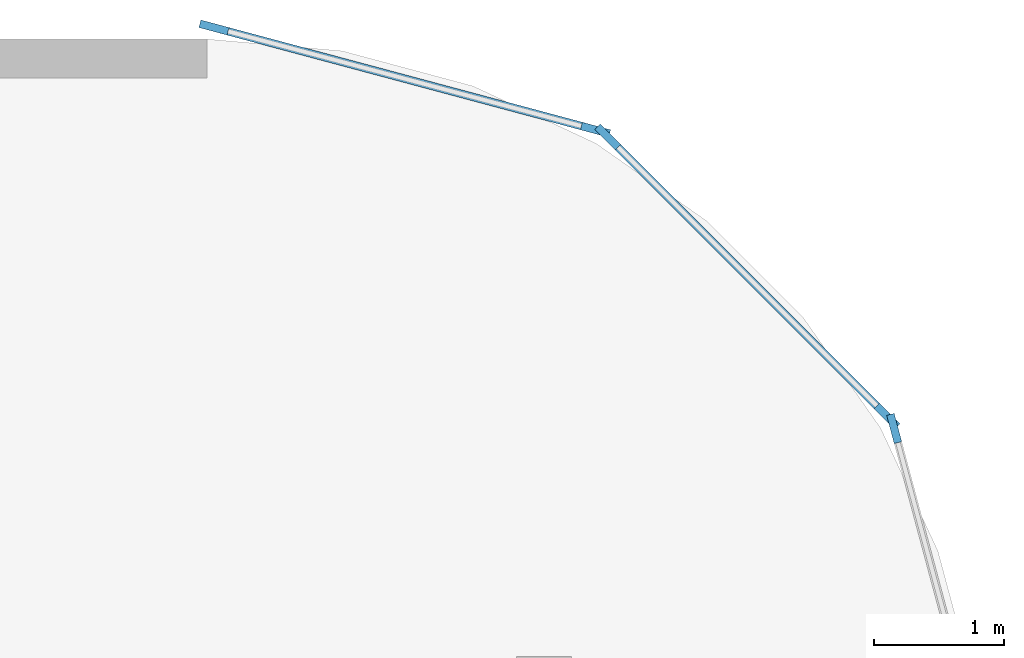
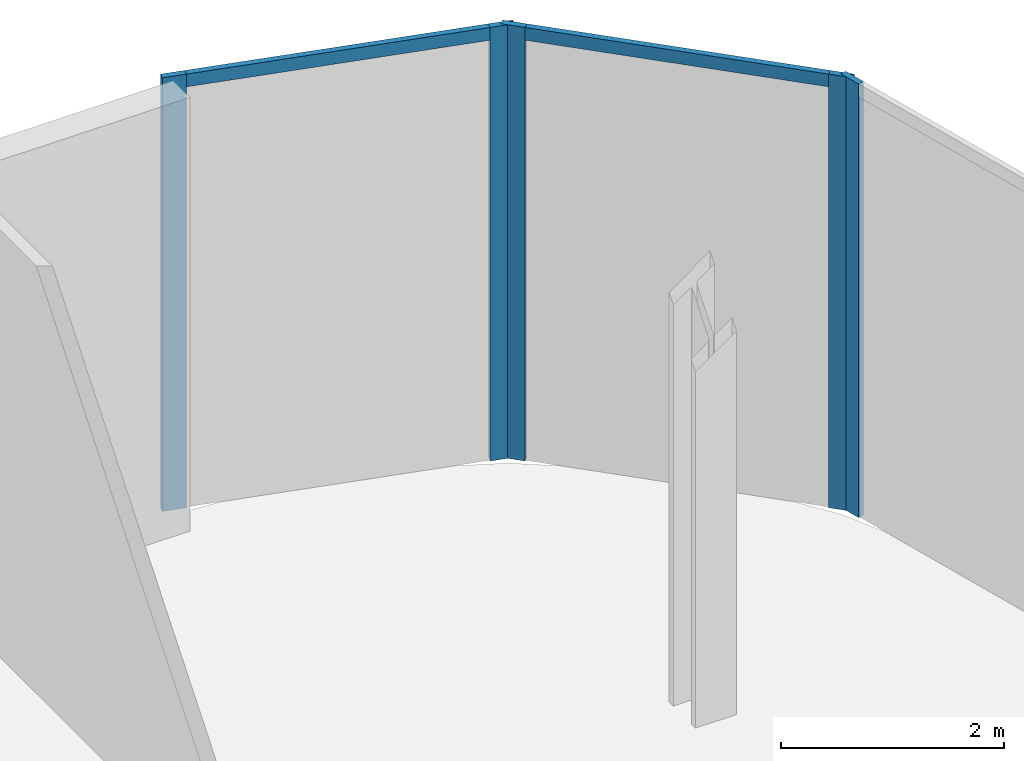
# One storey, part 22 of 47: 7 members, 3 elements without a shape of their own.
"""IFC4 building model written with IfcOpenShell, lengths in metres."""

import ifcopenshell
import ifcopenshell.guid

model = None  # the IFC model being written
_history = None  # IfcOwnerHistory: only IFC2X3 demands one
_inside = {}  # id of a spatial element -> (the spatial element, [elements in it])
_under = {}  # id of a project, library or spatial element -> (it, [spatial elements below it])
_declared = {}  # id of a project -> (the project, [libraries it declares])
_typed = {}  # id of a type object -> (the type object, [elements of that type])
_made_of = {}  # id of a material, layer set ... -> (it, [elements and type objects made of it])


def new_model(schema):
    """Start an empty IFC model of exactly this schema.

    Asked for "IFC4X3", IfcOpenShell would pick the latest addendum, in which some entities
    have other attributes; the version numbers below select the first issue.
    IFC2X3 requires an IfcOwnerHistory on every rooted entity: one is made here for all.
    """
    global model, _history
    if schema == "IFC4X3":
        model = ifcopenshell.file(schema_version=(4, 3, 0, 0))
    else:
        model = ifcopenshell.file(schema=schema)
    _inside.clear()
    _under.clear()
    _declared.clear()
    _typed.clear()
    _made_of.clear()
    _history = None
    if model.schema == "IFC2X3":
        org = make("IfcOrganization", Name="unknown")
        user = make(
            "IfcPersonAndOrganization",
            ThePerson=make("IfcPerson", FamilyName="unknown"),
            TheOrganization=org,
        )
        app = make(
            "IfcApplication",
            ApplicationDeveloper=org,
            Version="unknown",
            ApplicationFullName="unknown",
            ApplicationIdentifier="unknown",
        )
        _history = make(
            "IfcOwnerHistory",
            OwningUser=user,
            OwningApplication=app,
            ChangeAction="ADDED",
            CreationDate=0,
        )
    return model


def make(cls, **values):
    """One entity of the class cls with the attributes given. An attribute that is None is left unset."""
    return model.create_entity(
        cls, **{name: value for name, value in values.items() if value is not None}
    )


def rooted(cls, **values):
    """An entity with a GlobalId (a new one), such as an element, a storey or a relation."""
    return make(cls, GlobalId=ifcopenshell.guid.new(), OwnerHistory=_history, **values)


def si_unit(unit_type, name, prefix=None):
    """IfcSIUnit, for example si_unit("LENGTHUNIT", "METRE", prefix="MILLI")."""
    return make("IfcSIUnit", UnitType=unit_type, Prefix=prefix, Name=name)


def assignment(units):
    """IfcUnitAssignment: the units of a project."""
    return None if units is None else make("IfcUnitAssignment", Units=units)


def point(xyz):
    """IfcCartesianPoint."""
    return None if xyz is None else make("IfcCartesianPoint", Coordinates=xyz)


def direction(xyz):
    """IfcDirection."""
    return None if xyz is None else make("IfcDirection", DirectionRatios=xyz)


def frame(location, z_axis=None, x_axis=None):
    """IfcAxis2Placement3D, a coordinate frame: its origin and axes. An axis left out is left unset."""
    return make(
        "IfcAxis2Placement3D",
        Location=point(location),
        Axis=direction(z_axis),
        RefDirection=direction(x_axis),
    )


def frame_2d(location, x_axis=None):
    """IfcAxis2Placement2D, a coordinate frame in the plane: its origin and x axis."""
    return make(
        "IfcAxis2Placement2D", Location=point(location), RefDirection=direction(x_axis)
    )


def origin():
    """The frame at (0, 0, 0) with its axes left unset."""
    return frame((0.0, 0.0, 0.0))


def origin_2d():
    """The frame at (0, 0) in the plane with its x axis left unset."""
    return frame_2d((0.0, 0.0))


def place(relative_to, where):
    """IfcLocalPlacement: puts the frame where relative to a parent placement (None: the world)."""
    return make(
        "IfcLocalPlacement", PlacementRelTo=relative_to, RelativePlacement=where
    )


def context(
    kind, dimensions, precision=None, world=None, true_north=None, identifier=None
):
    """IfcGeometricRepresentationContext, for example the 3D "Model" context."""
    return make(
        "IfcGeometricRepresentationContext",
        ContextIdentifier=identifier,
        ContextType=kind,
        CoordinateSpaceDimension=dimensions,
        Precision=precision,
        WorldCoordinateSystem=world,
        TrueNorth=true_north,
    )


def subcontext(parent, identifier, kind, view, scale=None):
    """IfcGeometricRepresentationSubContext, for example "Body" below "Model"."""
    return make(
        "IfcGeometricRepresentationSubContext",
        ContextIdentifier=identifier,
        ContextType=kind,
        ParentContext=parent,
        TargetScale=scale,
        TargetView=view,
    )


def project(units=None, contexts=None):
    """IfcProject with its units and contexts."""
    return rooted(
        "IfcProject",
        Name="project",
        RepresentationContexts=contexts,
        UnitsInContext=assignment(units),
    )


def spatial(cls, under=None, at=None, **own):
    """A site, building, storey or space (cls), placed at a placement, below another one or the project."""
    s = rooted(cls, ObjectPlacement=at, **own)
    if under is not None:
        _under.setdefault(under.id(), (under, []))[1].append(s)
    return s


def profile(cls, at=None, kind="AREA", **sizes):
    """A parametric profile (cls). Its sizes go by their IFC names, for example OverallWidth=200.0."""
    return make(cls, ProfileType=kind, Position=at, **sizes)


def rectangle(**sizes):
    """IfcRectangleProfileDef."""
    return profile("IfcRectangleProfileDef", **sizes)


def extrude(swept, where, along, depth):
    """IfcExtrudedAreaSolid: the profile swept, set in the frame where, extruded along a direction by depth."""
    return make(
        "IfcExtrudedAreaSolid",
        SweptArea=swept,
        Position=where,
        ExtrudedDirection=direction(along),
        Depth=depth,
    )


def shape(context_of_items, identifier, shape_type, items):
    """IfcShapeRepresentation: the items that make up one representation, for example the "Body"."""
    return make(
        "IfcShapeRepresentation",
        ContextOfItems=context_of_items,
        RepresentationIdentifier=identifier,
        RepresentationType=shape_type,
        Items=items,
    )


def material(Name=None, Category=None):
    """IfcMaterial."""
    return make("IfcMaterial", Name=Name, Category=Category)


def layer(
    of_material, thickness, ventilated=None, Name=None, Category=None, Priority=None
):
    """IfcMaterialLayer: one layer of a wall or slab, of a material (None: an air gap)."""
    return make(
        "IfcMaterialLayer",
        Material=of_material,
        LayerThickness=thickness,
        IsVentilated=ventilated,
        Name=Name,
        Category=Category,
        Priority=Priority,
    )


def layer_set(layers, Name=None):
    """IfcMaterialLayerSet."""
    return make("IfcMaterialLayerSet", MaterialLayers=layers, LayerSetName=Name)


def material_profile(
    of_material, cross_section, Name=None, Category=None, Priority=None
):
    """IfcMaterialProfile: a cross section and its material."""
    return make(
        "IfcMaterialProfile",
        Name=Name,
        Material=of_material,
        Profile=cross_section,
        Priority=Priority,
        Category=Category,
    )


def profile_set(profiles, Name=None, composite=None):
    """IfcMaterialProfileSet."""
    return make(
        "IfcMaterialProfileSet",
        Name=Name,
        MaterialProfiles=profiles,
        CompositeProfile=composite,
    )


def made_of(thing, what):
    """Note that an element or type object is made of a material, layer set ...; save() writes the relation."""
    if what is not None:
        _made_of.setdefault(what.id(), (what, []))[1].append(thing)
    return thing


def type_object(cls, material=None, **own):
    """A type object (cls), such as IfcWallType, which elements share."""
    return made_of(rooted(cls, **own), material)


def element(
    cls,
    number,
    at=None,
    inside=None,
    cuts=None,
    type_object=None,
    material=None,
    context=None,
    identifier="Body",
    shape_type=None,
    held_by="IfcProductDefinitionShape",
    body=None,
    shapes=None,
    **own,
):
    """One element of the class cls, such as IfcWall. Its Tag is "e" and its number.

    at: its placement. inside: the storey or other place that contains it. cuts: it is an
    opening in that element (IfcRelVoidsElement). A single representation is given by context,
    identifier, shape_type and body (its items); several are given by shapes. held_by: the class
    of the entity that holds the representations. save() writes the other relations.
    """
    e = rooted(cls, Tag="e%d" % number, ObjectPlacement=at, **own)
    if body is not None:
        shapes = [shape(context, identifier, shape_type, body)]
    if shapes is not None:
        e.Representation = make(held_by, Representations=shapes)
    if inside is not None:
        _inside.setdefault(inside.id(), (inside, []))[1].append(e)
    if cuts is not None:
        rooted(
            "IfcRelVoidsElement", RelatingBuildingElement=cuts, RelatedOpeningElement=e
        )
    if type_object is not None:
        _typed.setdefault(type_object.id(), (type_object, []))[1].append(e)
    return made_of(e, material)


def aggregate(whole, parts):
    """IfcRelAggregates: a whole, such as a stair, and the parts it consists of."""
    return rooted("IfcRelAggregates", RelatingObject=whole, RelatedObjects=parts)


def save(model, path):
    """Write the relations noted so far, then the file.

    IfcRelAggregates (storeys below a building ...), IfcRelContainedInSpatialStructure (elements
    in a storey), IfcRelDefinesByType, IfcRelAssociatesMaterial and IfcRelDeclares: one each for
    every whole, place, type object, material and project.
    """
    for whole, parts in _under.values():
        aggregate(whole, parts)
    for where, things in _inside.values():
        rooted(
            "IfcRelContainedInSpatialStructure",
            RelatedElements=things,
            RelatingStructure=where,
        )
    for kind, things in _typed.values():
        rooted("IfcRelDefinesByType", RelatedObjects=things, RelatingType=kind)
    for what, things in _made_of.values():
        rooted("IfcRelAssociatesMaterial", RelatedObjects=things, RelatingMaterial=what)
    for by, libraries in _declared.values():
        rooted("IfcRelDeclares", RelatingContext=by, RelatedDefinitions=libraries)
    model.write(path)


model = new_model("IFC4")

# Units and contexts
model_context = context("Model", 3, precision=1e-05, world=origin(), true_north=direction((0.0, 1.0)))
body_context = subcontext(model_context, "Body", "Model", "MODEL_VIEW")
ifc_project = project(units=[si_unit("LENGTHUNIT", "METRE"), si_unit("AREAUNIT", "SQUARE_METRE"), si_unit("VOLUMEUNIT", "CUBIC_METRE"), si_unit("PLANEANGLEUNIT", "RADIAN"), si_unit("MASSUNIT", "GRAM", prefix="KILO")], contexts=[model_context])

# Site, building, storey
site_placement = place(None, origin())
site = spatial("IfcSite", under=ifc_project, at=site_placement, CompositionType="ELEMENT")
building_placement = place(site_placement, origin())
building = spatial("IfcBuilding", under=site, at=building_placement, Name="Kheshtan School and Residences Tower", CompositionType="ELEMENT")
storey_placement = place(building_placement, frame((0.0, 0.0, 7.5)))
storey = spatial("IfcBuildingStorey", under=building, at=storey_placement, Name="L01", CompositionType="ELEMENT", Elevation=7.5)

# Curtain wall, members
ifc_material_1 = material(Name="Clear low-e glass in thermally broken aluminium frame", Category="aluminium")
ifc_layer = layer(ifc_material_1, 0.22509765625)
ifc_layer_set = layer_set([ifc_layer], Name="Curtain wall CW-P")
curtain_wall_type = type_object("IfcCurtainWallType", Name="Curtain wall CW-P", PredefinedType="NOTDEFINED", material=ifc_layer_set)
curtain_wall_1_placement = place(storey_placement, origin())
curtain_wall_1 = element("IfcCurtainWall", 1, at=curtain_wall_1_placement, inside=storey, type_object=curtain_wall_type, Name="Curtain wall CWP5", PredefinedType="NOTDEFINED")
ifc_material_2 = material(Name="Thermally broken aluminium, dark bronze anodised", Category="aluminium")
ifc_material_profile_1 = material_profile(ifc_material_2, rectangle(XDim=0.06005859375, YDim=0.22509765625, at=origin_2d()), Name="CW-P mullion 60x225")
ifc_profile_set_1 = profile_set([ifc_material_profile_1], Name="Thermally broken aluminium, dark bronze anodised")
member_type_1 = type_object("IfcMemberType", Name="CW-P mullion 60x225", PredefinedType="MULLION", material=ifc_profile_set_1)
member_1_placement = place(storey_placement, frame((126.054931640625, 110.0888671875, 0.0), z_axis=(0.0, 0.0, 1.0), x_axis=(0.258864833085, 0.965913556273, 0.0)))
member_1 = element("IfcMember", 2, at=member_1_placement, type_object=member_type_1, Name="CWP5 mullion 1", PredefinedType="MULLION", context=body_context, shape_type="SweptSolid", body=[
    extrude(rectangle(XDim=0.06005859375, YDim=0.22509765625, at=origin_2d()), origin(), (0.0, 0.0, 1.0), 4.75),
])
member_2_placement = place(storey_placement, frame((128.996826171875, 109.30029296875, 0.0), z_axis=(0.0, 0.0, 1.0), x_axis=(0.258864833085, 0.965913556273, 0.0)))
member_2 = element("IfcMember", 3, at=member_2_placement, type_object=member_type_1, Name="CWP5 mullion 2", PredefinedType="MULLION", context=body_context, shape_type="SweptSolid", body=[
    extrude(rectangle(XDim=0.06005859375, YDim=0.22509765625, at=origin_2d()), origin(), (0.0, 0.0, 1.0), 4.75),
])

curtain_wall_2_placement = place(storey_placement, origin())
curtain_wall_2 = element("IfcCurtainWall", 4, at=curtain_wall_2_placement, inside=storey, type_object=curtain_wall_type, Name="Curtain wall CWP6", PredefinedType="NOTDEFINED")
member_3_placement = place(storey_placement, frame((129.092041015625, 109.24560546875, 0.0), z_axis=(0.0, 0.0, 1.0), x_axis=(0.707106781187, 0.707106781187, 0.0)))
member_3 = element("IfcMember", 5, at=member_3_placement, type_object=member_type_1, Name="CWP6 mullion 1", PredefinedType="MULLION", context=body_context, shape_type="SweptSolid", body=[
    extrude(rectangle(XDim=0.06005859375, YDim=0.22509765625, at=origin_2d()), origin(), (0.0, 0.0, 1.0), 4.75),
])
member_4_placement = place(storey_placement, frame((131.24560546875, 107.092041015625, 0.0), z_axis=(0.0, 0.0, 1.0), x_axis=(0.707106781187, 0.707106781187, 0.0)))
member_4 = element("IfcMember", 6, at=member_4_placement, type_object=member_type_1, Name="CWP6 mullion 2", PredefinedType="MULLION", context=body_context, shape_type="SweptSolid", body=[
    extrude(rectangle(XDim=0.06005859375, YDim=0.22509765625, at=origin_2d()), origin(), (0.0, 0.0, 1.0), 4.75),
])

# Curtain wall, member
curtain_wall_3_placement = place(storey_placement, origin())
curtain_wall_3 = element("IfcCurtainWall", 7, at=curtain_wall_3_placement, inside=storey, type_object=curtain_wall_type, Name="Curtain wall CWP7", PredefinedType="NOTDEFINED")
member_5_placement = place(storey_placement, frame((131.30029296875, 106.996826171875, 0.0), z_axis=(0.0, 0.0, 1.0), x_axis=(0.965913556273, 0.258864833085, 0.0)))
member_5 = element("IfcMember", 8, at=member_5_placement, type_object=member_type_1, Name="CWP7 mullion 1", PredefinedType="MULLION", context=body_context, shape_type="SweptSolid", body=[
    extrude(rectangle(XDim=0.06005859375, YDim=0.22509765625, at=origin_2d()), origin(), (0.0, 0.0, 1.0), 4.75),
])
aggregate(curtain_wall_3, [member_5])

# Member
ifc_material_profile_2 = material_profile(ifc_material_2, rectangle(XDim=0.06005859375, YDim=0.139892578125, at=origin_2d()), Name="CW-P transom 60x140")
ifc_profile_set_2 = profile_set([ifc_material_profile_2], Name="Thermally broken aluminium, dark bronze anodised")
member_type_2 = type_object("IfcMemberType", Name="CW-P transom 60x140", PredefinedType="USERDEFINED", material=ifc_profile_set_2)
member_6_placement = place(storey_placement, frame((126.083740234375, 110.0810546875, 4.679931640625), z_axis=(0.965916663607, -0.258853238275, 0.0), x_axis=(0.258853238275, 0.965916663607, 0.0)))
member_6 = element("IfcMember", 9, at=member_6_placement, type_object=member_type_2, Name="CWP5 transom 1", ObjectType="TRANSOM", PredefinedType="USERDEFINED", context=body_context, shape_type="SweptSolid", body=[
    extrude(rectangle(XDim=0.06005859375, YDim=0.139892578125, at=origin_2d()), origin(), (0.0, 0.0, 1.0), 2.986083984375),
])

aggregate(curtain_wall_1, [member_1, member_2, member_6])

member_7_placement = place(storey_placement, frame((129.113037109375, 109.224365234375, 4.679931640625), z_axis=(0.707106781187, -0.707106781187, 0.0), x_axis=(0.707106781187, 0.707106781187, 0.0)))
member_7 = element("IfcMember", 10, at=member_7_placement, type_object=member_type_2, Name="CWP6 transom 1", ObjectType="TRANSOM", PredefinedType="USERDEFINED", context=body_context, shape_type="SweptSolid", body=[
    extrude(rectangle(XDim=0.06005859375, YDim=0.139892578125, at=origin_2d()), origin(), (0.0, 0.0, 1.0), 2.98583984375),
])

aggregate(curtain_wall_2, [member_3, member_4, member_7])

save(model, "model.ifc")
